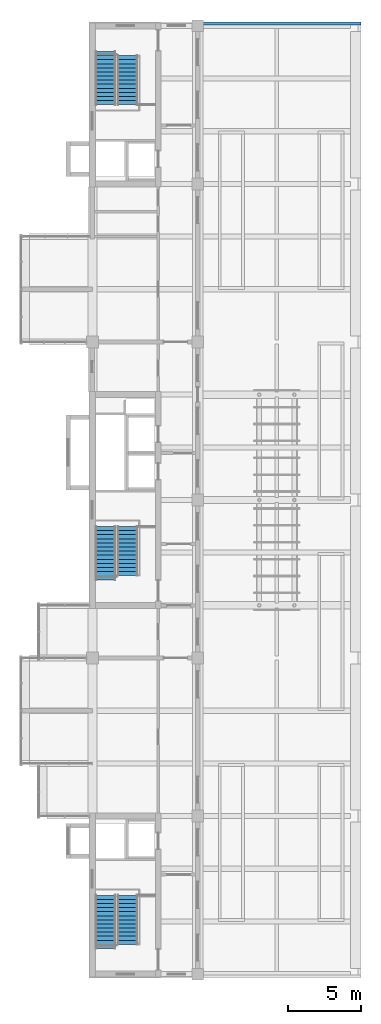
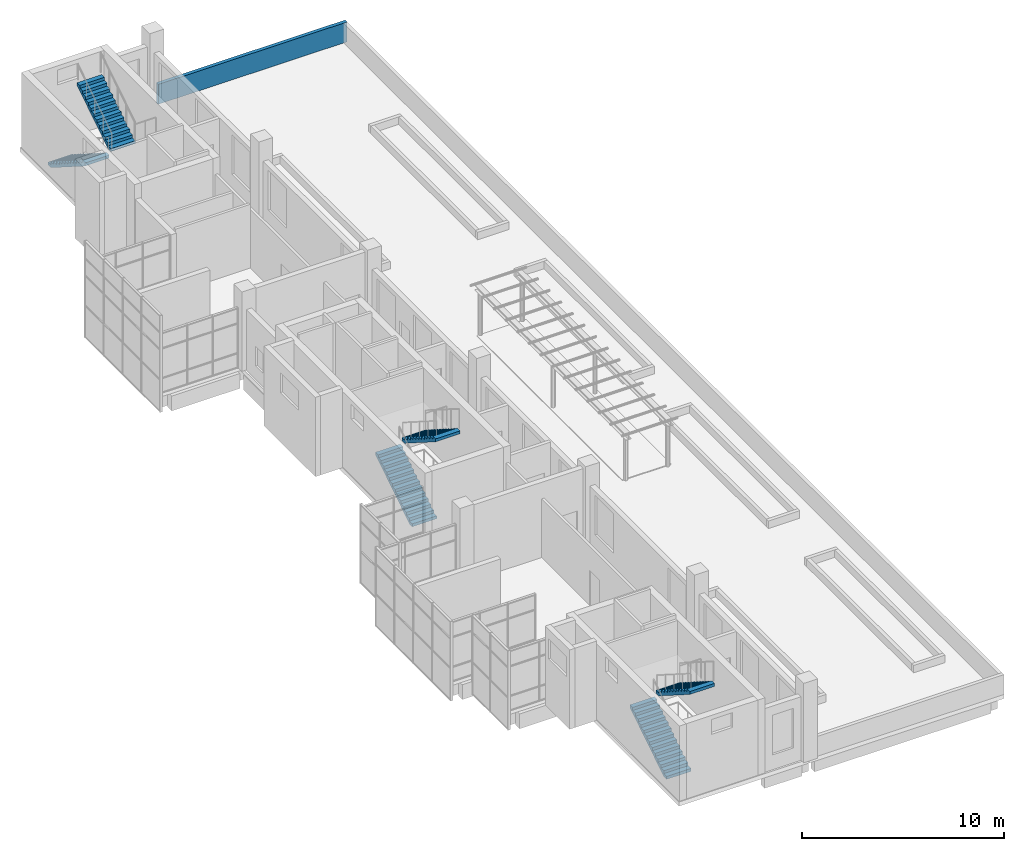
# One storey, part 15 of 16: 6 stair flights, 1 wall, 3 elements without a shape of their own.
"""IFC4 building model written with IfcOpenShell, lengths in metres."""

from ifc_helpers import new_model, si_unit, direction, frame, frame_2d, origin, place, context, subcontext, project, spatial, polyline, rectangle, outline, extrude, material, layer, layer_set, type_object, element, aggregate, save


model = new_model("IFC4")

# Units and contexts
model_context = context("Model", 3, precision=1e-05, world=origin(), true_north=direction((0.0, 1.0)))
body_context = subcontext(model_context, "Body", "Model", "MODEL_VIEW")
ifc_project = project(units=[si_unit("LENGTHUNIT", "METRE"), si_unit("AREAUNIT", "SQUARE_METRE"), si_unit("VOLUMEUNIT", "CUBIC_METRE"), si_unit("PLANEANGLEUNIT", "RADIAN"), si_unit("MASSUNIT", "GRAM", prefix="KILO")], contexts=[model_context])

# Site, building, storey
site_placement = place(None, origin())
site = spatial("IfcSite", under=ifc_project, at=site_placement, CompositionType="ELEMENT")
building_placement = place(site_placement, origin())
building = spatial("IfcBuilding", under=site, at=building_placement, Name="Basin Gate Institute", CompositionType="ELEMENT")
storey_placement = place(building_placement, frame((0.0, 0.0, 65.39990234375)))
storey = spatial("IfcBuildingStorey", under=building, at=storey_placement, Name="L13", CompositionType="ELEMENT", Elevation=65.39990234375)

# Wall
ifc_material_1 = material(Name="Concrete 40 MPa", Category="concrete")
ifc_layer = layer(ifc_material_1, 0.199951171875)
ifc_layer_set = layer_set([ifc_layer], Name="Concrete 40 MPa")
wall_type = type_object("IfcWallType", Name="Parapet wall PA1", PredefinedType="PARAPET", material=ifc_layer_set)
wall_placement = place(storey_placement, frame((68.75, 100.050048828125, 0.0), z_axis=(0.0, 0.0, 1.0), x_axis=(1.0, 0.0, 0.0)))
element("IfcWall", 1, at=wall_placement, inside=storey, type_object=wall_type, material=ifc_layer_set, Name="Parapet wall PA1 L13 W1", PredefinedType="PARAPET", context=body_context, shape_type="SweptSolid", body=[
    extrude(rectangle(XDim=10.800048828125, YDim=0.199951171875, at=frame_2d((5.39990234375, 0.0))), origin(), (0.0, 0.0, 1.0), 1.2001953125),
])

# Stair, stair flights
ifc_material_2 = material(Name="Concrete 40 MPa", Category="concrete")
stair_type = type_object("IfcStairType", Name="Stair ST", PredefinedType="HALF_TURN_STAIR", material=ifc_material_2)
stair_1_placement = place(storey_placement, origin())
stair_1 = element("IfcStair", 2, at=stair_1_placement, inside=storey, type_object=stair_type, material=ifc_material_2, Name="Special safe stair ST-WS L13", PredefinedType="HALF_TURN_STAIR")
ifc_material_3 = material(Name="Concrete 40 MPa", Category="concrete")
stair_flight_type = type_object("IfcStairFlightType", Name="Stair flight FL", PredefinedType="STRAIGHT", material=ifc_material_3)
stair_flight_1_placement = place(storey_placement, frame((62.10009765625, 36.85009765625, 0.0), z_axis=(0.0, 0.0, 1.0), x_axis=(0.0, 1.0, 0.0)))
stair_flight_1 = element("IfcStairFlight", 3, at=stair_flight_1_placement, type_object=stair_flight_type, material=ifc_material_3, Name="Stair flight ST-WS-F1 L13", NumberOfRisers=14, NumberOfTreads=13, PredefinedType="STRAIGHT", RiserHeight=0.177777778, TreadLength=0.28, context=body_context, shape_type="SweptSolid", body=[
    extrude(outline(polyline([(0.0, 0.0), (0.0, 0.177734375), (0.280029296875, 0.177734375), (0.280029296875, 0.35546875), (0.56005859375, 0.35546875), (0.56005859375, 0.533447265625), (0.840087890625, 0.533447265625), (0.840087890625, 0.711181640625), (1.1201171875, 0.711181640625), (1.1201171875, 0.888916015625), (1.39990234375, 0.888916015625), (1.39990234375, 1.066650390625), (1.679931640625, 1.066650390625), (1.679931640625, 1.244384765625), (1.9599609375, 1.244384765625), (1.9599609375, 1.422119140625), (2.239990234375, 1.422119140625), (2.239990234375, 1.60009765625), (2.52001953125, 1.60009765625), (2.52001953125, 1.77783203125), (2.800048828125, 1.77783203125), (2.800048828125, 1.95556640625), (3.080078125, 1.95556640625), (3.080078125, 2.13330078125), (3.360107421875, 2.13330078125), (3.360107421875, 2.31103515625), (3.639892578125, 2.31103515625), (3.639892578125, 2.48876953125), (3.639892578125, 2.133544921875), (0.27978515625, 0.0), (0.0, 0.0)])), frame((0.0, 0.699951171875, 0.0), z_axis=(0.0, -1.0, 0.0), x_axis=(1.0, 0.0, 0.0)), (0.0, 0.0, 1.0), 1.39990234375),
])
stair_flight_2_placement = place(storey_placement, frame((63.60009765625, 40.489990234375, 2.489013671875), z_axis=(0.0, 0.0, 1.0), x_axis=(0.0, -1.0, 0.0)))
stair_flight_2 = element("IfcStairFlight", 4, at=stair_flight_2_placement, type_object=stair_flight_type, material=ifc_material_3, Name="Stair flight ST-WS-F2 L13", NumberOfRisers=13, NumberOfTreads=12, PredefinedType="STRAIGHT", RiserHeight=0.177777778, TreadLength=0.28, context=body_context, shape_type="SweptSolid", body=[
    extrude(outline(polyline([(0.0, 0.0), (0.0, 0.177734375), (0.280029296875, 0.177734375), (0.280029296875, 0.35546875), (0.56005859375, 0.35546875), (0.56005859375, 0.533447265625), (0.840087890625, 0.533447265625), (0.840087890625, 0.711181640625), (1.1201171875, 0.711181640625), (1.1201171875, 0.888916015625), (1.39990234375, 0.888916015625), (1.39990234375, 1.066650390625), (1.679931640625, 1.066650390625), (1.679931640625, 1.244384765625), (1.9599609375, 1.244384765625), (1.9599609375, 1.422119140625), (2.239990234375, 1.422119140625), (2.239990234375, 1.60009765625), (2.52001953125, 1.60009765625), (2.52001953125, 1.77783203125), (2.800048828125, 1.77783203125), (2.800048828125, 1.95556640625), (3.080078125, 1.95556640625), (3.080078125, 2.13330078125), (3.360107421875, 2.13330078125), (3.360107421875, 2.31103515625), (3.360107421875, 1.955810546875), (0.27978515625, 0.0), (0.0, 0.0)])), frame((0.0, 0.699951171875, 0.0), z_axis=(0.0, -1.0, 0.0), x_axis=(1.0, 0.0, 0.0)), (0.0, 0.0, 1.0), 1.39990234375),
])
aggregate(stair_1, [stair_flight_1, stair_flight_2])

stair_2_placement = place(storey_placement, origin())
stair_2 = element("IfcStair", 5, at=stair_2_placement, inside=storey, type_object=stair_type, material=ifc_material_2, Name="Special safe stair ST-WM L13", PredefinedType="HALF_TURN_STAIR")
stair_flight_3_placement = place(storey_placement, frame((62.10009765625, 62.050048828125, 0.0), z_axis=(0.0, 0.0, 1.0), x_axis=(0.0, 1.0, 0.0)))
stair_flight_3 = element("IfcStairFlight", 6, at=stair_flight_3_placement, type_object=stair_flight_type, material=ifc_material_3, Name="Stair flight ST-WM-F1 L13", NumberOfRisers=14, NumberOfTreads=13, PredefinedType="STRAIGHT", RiserHeight=0.177777778, TreadLength=0.28, context=body_context, shape_type="SweptSolid", body=[
    extrude(outline(polyline([(0.0, 0.0), (0.0, 0.177734375), (0.280029296875, 0.177734375), (0.280029296875, 0.35546875), (0.56005859375, 0.35546875), (0.56005859375, 0.533447265625), (0.840087890625, 0.533447265625), (0.840087890625, 0.711181640625), (1.1201171875, 0.711181640625), (1.1201171875, 0.888916015625), (1.39990234375, 0.888916015625), (1.39990234375, 1.066650390625), (1.679931640625, 1.066650390625), (1.679931640625, 1.244384765625), (1.9599609375, 1.244384765625), (1.9599609375, 1.422119140625), (2.239990234375, 1.422119140625), (2.239990234375, 1.60009765625), (2.52001953125, 1.60009765625), (2.52001953125, 1.77783203125), (2.800048828125, 1.77783203125), (2.800048828125, 1.95556640625), (3.080078125, 1.95556640625), (3.080078125, 2.13330078125), (3.360107421875, 2.13330078125), (3.360107421875, 2.31103515625), (3.639892578125, 2.31103515625), (3.639892578125, 2.48876953125), (3.639892578125, 2.133544921875), (0.27978515625, 0.0), (0.0, 0.0)])), frame((0.0, 0.699951171875, 0.0), z_axis=(0.0, -1.0, 0.0), x_axis=(1.0, 0.0, 0.0)), (0.0, 0.0, 1.0), 1.39990234375),
])
stair_flight_4_placement = place(storey_placement, frame((63.60009765625, 65.68994140625, 2.489013671875), z_axis=(0.0, 0.0, 1.0), x_axis=(0.0, -1.0, 0.0)))
stair_flight_4 = element("IfcStairFlight", 7, at=stair_flight_4_placement, type_object=stair_flight_type, material=ifc_material_3, Name="Stair flight ST-WM-F2 L13", NumberOfRisers=13, NumberOfTreads=12, PredefinedType="STRAIGHT", RiserHeight=0.177777778, TreadLength=0.28, context=body_context, shape_type="SweptSolid", body=[
    extrude(outline(polyline([(0.0, 0.0), (0.0, 0.177734375), (0.280029296875, 0.177734375), (0.280029296875, 0.35546875), (0.56005859375, 0.35546875), (0.56005859375, 0.533447265625), (0.840087890625, 0.533447265625), (0.840087890625, 0.711181640625), (1.1201171875, 0.711181640625), (1.1201171875, 0.888916015625), (1.39990234375, 0.888916015625), (1.39990234375, 1.066650390625), (1.679931640625, 1.066650390625), (1.679931640625, 1.244384765625), (1.9599609375, 1.244384765625), (1.9599609375, 1.422119140625), (2.239990234375, 1.422119140625), (2.239990234375, 1.60009765625), (2.52001953125, 1.60009765625), (2.52001953125, 1.77783203125), (2.800048828125, 1.77783203125), (2.800048828125, 1.95556640625), (3.080078125, 1.95556640625), (3.080078125, 2.13330078125), (3.360107421875, 2.13330078125), (3.360107421875, 2.31103515625), (3.360107421875, 1.955810546875), (0.27978515625, 0.0), (0.0, 0.0)])), frame((0.0, 0.699951171875, 0.0), z_axis=(0.0, -1.0, 0.0), x_axis=(1.0, 0.0, 0.0)), (0.0, 0.0, 1.0), 1.39990234375),
])
aggregate(stair_2, [stair_flight_3, stair_flight_4])

stair_3_placement = place(storey_placement, origin())
stair_3 = element("IfcStair", 8, at=stair_3_placement, inside=storey, type_object=stair_type, material=ifc_material_2, Name="Special safe stair ST-WN L13", PredefinedType="HALF_TURN_STAIR")
stair_flight_5_placement = place(storey_placement, frame((62.10009765625, 98.14990234375, 0.0), z_axis=(0.0, 0.0, 1.0), x_axis=(0.0, -1.0, 0.0)))
stair_flight_5 = element("IfcStairFlight", 9, at=stair_flight_5_placement, type_object=stair_flight_type, material=ifc_material_3, Name="Stair flight ST-WN-F1 L13", NumberOfRisers=14, NumberOfTreads=13, PredefinedType="STRAIGHT", RiserHeight=0.177777778, TreadLength=0.28, context=body_context, shape_type="SweptSolid", body=[
    extrude(outline(polyline([(0.0, 0.0), (0.0, 0.177734375), (0.280029296875, 0.177734375), (0.280029296875, 0.35546875), (0.56005859375, 0.35546875), (0.56005859375, 0.533447265625), (0.840087890625, 0.533447265625), (0.840087890625, 0.711181640625), (1.1201171875, 0.711181640625), (1.1201171875, 0.888916015625), (1.39990234375, 0.888916015625), (1.39990234375, 1.066650390625), (1.679931640625, 1.066650390625), (1.679931640625, 1.244384765625), (1.9599609375, 1.244384765625), (1.9599609375, 1.422119140625), (2.239990234375, 1.422119140625), (2.239990234375, 1.60009765625), (2.52001953125, 1.60009765625), (2.52001953125, 1.77783203125), (2.800048828125, 1.77783203125), (2.800048828125, 1.95556640625), (3.080078125, 1.95556640625), (3.080078125, 2.13330078125), (3.360107421875, 2.13330078125), (3.360107421875, 2.31103515625), (3.639892578125, 2.31103515625), (3.639892578125, 2.48876953125), (3.639892578125, 2.133544921875), (0.27978515625, 0.0), (0.0, 0.0)])), frame((0.0, 0.699951171875, 0.0), z_axis=(0.0, -1.0, 0.0), x_axis=(1.0, 0.0, 0.0)), (0.0, 0.0, 1.0), 1.39990234375),
])
stair_flight_6_placement = place(storey_placement, frame((63.60009765625, 94.510009765625, 2.489013671875), z_axis=(0.0, 0.0, 1.0), x_axis=(0.0, 1.0, 0.0)))
stair_flight_6 = element("IfcStairFlight", 10, at=stair_flight_6_placement, type_object=stair_flight_type, material=ifc_material_3, Name="Stair flight ST-WN-F2 L13", NumberOfRisers=13, NumberOfTreads=12, PredefinedType="STRAIGHT", RiserHeight=0.177777778, TreadLength=0.28, context=body_context, shape_type="SweptSolid", body=[
    extrude(outline(polyline([(0.0, 0.0), (0.0, 0.177734375), (0.280029296875, 0.177734375), (0.280029296875, 0.35546875), (0.56005859375, 0.35546875), (0.56005859375, 0.533447265625), (0.840087890625, 0.533447265625), (0.840087890625, 0.711181640625), (1.1201171875, 0.711181640625), (1.1201171875, 0.888916015625), (1.39990234375, 0.888916015625), (1.39990234375, 1.066650390625), (1.679931640625, 1.066650390625), (1.679931640625, 1.244384765625), (1.9599609375, 1.244384765625), (1.9599609375, 1.422119140625), (2.239990234375, 1.422119140625), (2.239990234375, 1.60009765625), (2.52001953125, 1.60009765625), (2.52001953125, 1.77783203125), (2.800048828125, 1.77783203125), (2.800048828125, 1.95556640625), (3.080078125, 1.95556640625), (3.080078125, 2.13330078125), (3.360107421875, 2.13330078125), (3.360107421875, 2.31103515625), (3.360107421875, 1.955810546875), (0.27978515625, 0.0), (0.0, 0.0)])), frame((0.0, 0.699951171875, 0.0), z_axis=(0.0, -1.0, 0.0), x_axis=(1.0, 0.0, 0.0)), (0.0, 0.0, 1.0), 1.39990234375),
])
aggregate(stair_3, [stair_flight_5, stair_flight_6])

save(model, "model.ifc")
